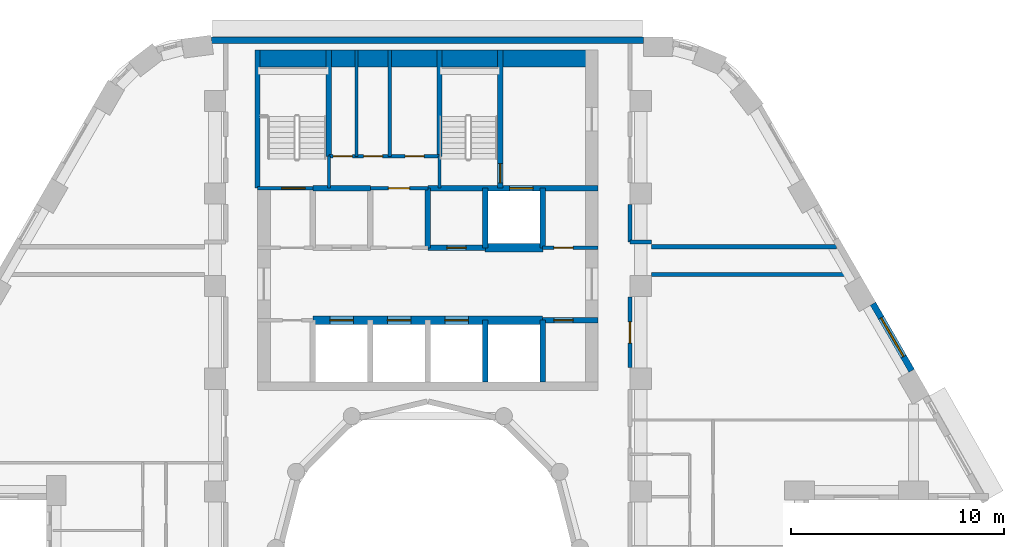
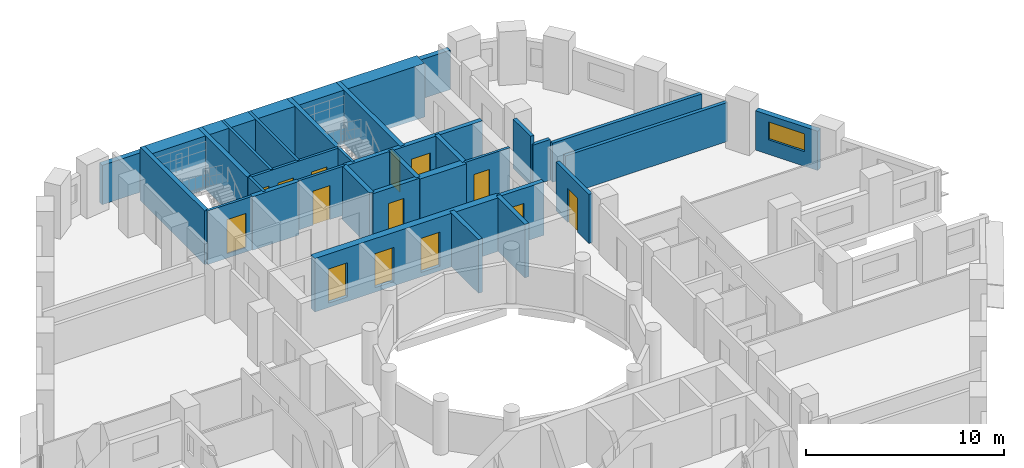
# One storey, part 8 of 12: 31 walls, 14 doors, 1 window, 15 openings.
"""IFC4 building model written with IfcOpenShell, lengths in metres."""

from ifc_helpers import new_model, si_unit, direction, frame, frame_2d, origin, place, context, subcontext, project, spatial, rectangle, extrude, material, layer, layer_set, type_object, element, fill, save


model = new_model("IFC4")

# Units and contexts
model_context = context("Model", 3, precision=1e-05, world=origin(), true_north=direction((0.0, 1.0)))
body_context = subcontext(model_context, "Body", "Model", "MODEL_VIEW")
ifc_project = project(units=[si_unit("LENGTHUNIT", "METRE"), si_unit("AREAUNIT", "SQUARE_METRE"), si_unit("VOLUMEUNIT", "CUBIC_METRE"), si_unit("PLANEANGLEUNIT", "RADIAN"), si_unit("MASSUNIT", "GRAM", prefix="KILO")], contexts=[model_context])

# Site, building, storey
site_placement = place(None, origin())
site = spatial("IfcSite", under=ifc_project, at=site_placement, CompositionType="ELEMENT")
building_placement = place(site_placement, origin())
building = spatial("IfcBuilding", under=site, at=building_placement, Name="Nakaniwa Court", CompositionType="ELEMENT")
storey_placement = place(building_placement, frame((0.0, 0.0, 90.89990234375)))
storey = spatial("IfcBuildingStorey", under=building, at=storey_placement, Name="L23", CompositionType="ELEMENT", Elevation=90.89990234375)

# Wall, opening, door
ifc_material_1 = material(Name="Acoustic double stud partition")
ifc_layer_1 = layer(ifc_material_1, 0.199951171875)
ifc_layer_set_1 = layer_set([ifc_layer_1], Name="Acoustic double stud partition")
wall_type_1 = type_object("IfcWallType", Name="Acoustic double stud partition 200", PredefinedType="PARTITIONING", material=ifc_layer_set_1)
wall_1_placement = place(storey_placement, frame((89.5, 91.782958984375, 0.0), z_axis=(0.0, 0.0, 1.0), x_axis=(0.0, -1.0, 0.0)))
wall_1 = element("IfcWall", 1, at=wall_1_placement, inside=storey, type_object=wall_type_1, Name="Partition PW-077", PredefinedType="PARTITIONING", context=body_context, shape_type="SweptSolid", body=[
    extrude(rectangle(XDim=3.31591796875, YDim=0.199951171875, at=frame_2d((1.657958984375, 0.0))), origin(), (0.0, 0.0, 1.0), 3.025146484375),
])
opening_1_placement = place(wall_1_placement, frame((1.157958984375, 0.0, 0.0)))
opening_1 = element("IfcOpeningElement", 2, at=opening_1_placement, cuts=wall_1, Name="Opening D-02-03", PredefinedType="OPENING", context=body_context, shape_type="SweptSolid", body=[
    extrude(rectangle(XDim=1.0, YDim=2.10009765625, at=frame_2d((0.5, 1.050048828125))), frame((0.0, 0.10986328125, 0.0), z_axis=(0.0, -1.0, 0.0), x_axis=(1.0, 0.0, 0.0)), (0.0, 0.0, 1.0), 0.219970703125),
])
ifc_material_2 = material(Name="Solid core timber door set, black veneer", Category="wood")
door_type_1 = type_object("IfcDoorType", Name="Internal door 1000", OperationType="NOTDEFINED", PredefinedType="DOOR", material=ifc_material_2)
door_1_placement = place(opening_1_placement, origin())
door_1 = element("IfcDoor", 3, at=door_1_placement, inside=storey, type_object=door_type_1, Name="Door D-02-03 L23-037", OperationType="SINGLE_SWING_RIGHT", OverallHeight=2.10009765625, OverallWidth=1.0, PredefinedType="DOOR", context=body_context, shape_type="SweptSolid", body=[
    extrude(rectangle(XDim=1.0, YDim=2.10009765625, at=frame_2d((0.5, 1.050048828125))), frame((0.0, 0.02490234375, 0.0), z_axis=(0.0, -1.0, 0.0), x_axis=(1.0, 0.0, 0.0)), (0.0, 0.0, 1.0), 0.050048828125),
])
fill(opening_1, door_1)

# Walls
wall_2_placement = place(storey_placement, frame((89.5, 94.3720703125, 0.0), z_axis=(0.0, 0.0, 1.0), x_axis=(0.0, 1.0, 0.0)))
element("IfcWall", 4, at=wall_2_placement, inside=storey, type_object=wall_type_1, Name="Partition PW-078", PredefinedType="PARTITIONING", context=body_context, shape_type="SweptSolid", body=[
    extrude(rectangle(XDim=1.760986328125, YDim=0.199951171875, at=frame_2d((0.88037109375, 0.0))), origin(), (0.0, 0.0, 1.0), 3.025146484375),
])
wall_3_placement = place(storey_placement, frame((90.5, 92.85009765625, 0.0), z_axis=(0.0, 0.0, 1.0), x_axis=(1.0, 0.0, 0.0)))
element("IfcWall", 5, at=wall_3_placement, inside=storey, type_object=wall_type_1, Name="Partition PW-082", PredefinedType="PARTITIONING", context=body_context, shape_type="SweptSolid", body=[
    extrude(rectangle(XDim=9.447509765625, YDim=0.199951171875, at=frame_2d((4.7236328125, 0.0))), origin(), (0.0, 0.0, 1.0), 2.405029296875),
])
wall_4_placement = place(storey_placement, frame((89.5, 94.375, 0.0), z_axis=(0.0, 0.0, 1.0), x_axis=(1.0, 0.0, 0.0)))
element("IfcWall", 6, at=wall_4_placement, inside=storey, type_object=wall_type_1, Name="Partition PW-084", PredefinedType="PARTITIONING", context=body_context, shape_type="SweptSolid", body=[
    extrude(rectangle(XDim=1.0, YDim=0.199951171875, at=frame_2d((0.5, 0.0))), origin(), (0.0, 0.0, 1.0), 2.505126953125),
])
wall_5_placement = place(storey_placement, frame((90.5, 94.14990234375, 0.0), z_axis=(0.0, 0.0, 1.0), x_axis=(1.0, 0.0, 0.0)))
element("IfcWall", 7, at=wall_5_placement, inside=storey, type_object=wall_type_1, Name="Partition PW-086", PredefinedType="PARTITIONING", context=body_context, shape_type="SweptSolid", body=[
    extrude(rectangle(XDim=8.697021484375, YDim=0.199951171875, at=frame_2d((4.3486328125, 0.0))), origin(), (0.0, 0.0, 1.0), 2.405029296875),
])

# Wall, opening, window
ifc_material_3 = material(Name="Charcoal ceramic cladding")
ifc_layer_2 = layer(ifc_material_3, 0.02, Name="Ceramic cladding")
ifc_material_4 = material(Name="Ventilated air cavity")
ifc_layer_3 = layer(ifc_material_4, 0.04, ventilated=True, Name="Ventilated cavity")
ifc_material_5 = material(Name="Mineral wool insulation")
ifc_layer_4 = layer(ifc_material_5, 0.1, Name="Insulation")
ifc_material_6 = material(Name="Cement bonded sheathing board")
ifc_layer_5 = layer(ifc_material_6, 0.012, Name="Sheathing")
ifc_material_7 = material(Name="Cold-formed galvanised stud frame with mineral wool infill")
ifc_layer_6 = layer(ifc_material_7, 0.1, Name="Stud frame")
ifc_material_8 = material(Name="Fire-rated gypsum plasterboard lining")
ifc_layer_7 = layer(ifc_material_8, 0.028, Name="Lining")
ifc_layer_set_2 = layer_set([ifc_layer_2, ifc_layer_3, ifc_layer_4, ifc_layer_5, ifc_layer_6, ifc_layer_7], Name="Charcoal ceramic faced external wall system")
wall_type_2 = type_object("IfcWallType", Name="Black ceramic faced external wall 300", PredefinedType="SOLIDWALL", material=ifc_layer_set_2)
wall_6_placement = place(storey_placement, frame((102.734619140625, 88.322509765625, 0.0), z_axis=(0.0, 0.0, 1.0), x_axis=(-0.500009139881, 0.866020126807, 0.0)))
wall_6 = element("IfcWall", 8, at=wall_6_placement, inside=storey, type_object=wall_type_2, Name="L23 external wall 03", PredefinedType="SOLIDWALL", context=body_context, shape_type="SweptSolid", body=[
    extrude(rectangle(XDim=3.63671875, YDim=0.300048828125, at=frame_2d((1.818359375, 0.0))), origin(), (0.0, 0.0, 1.0), 2.425048828125),
])
opening_2_placement = place(wall_6_placement, frame((0.768310546875, 0.0, 0.89990234375)))
opening_2 = element("IfcOpeningElement", 9, at=opening_2_placement, cuts=wall_6, Name="Opening W7.05", PredefinedType="OPENING", context=body_context, shape_type="SweptSolid", body=[
    extrude(rectangle(XDim=2.10009765625, YDim=1.10009765625, at=frame_2d((1.050048828125, 0.550048828125))), frame((0.0, 0.159912109375, 0.0), z_axis=(0.0, -1.0, 0.0), x_axis=(1.0, 0.0, 0.0)), (0.0, 0.0, 1.0), 0.320068359375),
])
ifc_material_9 = material(Name="Black anodised aluminium frame with dark low-E laminated double glazing", Category="aluminium")
window_type = type_object("IfcWindowType", Name="Dark glass window 2100x1100 sill 900", PartitioningType="SINGLE_PANEL", PredefinedType="WINDOW", material=ifc_material_9)
window_placement = place(opening_2_placement, origin())
window = element("IfcWindow", 10, at=window_placement, inside=storey, type_object=window_type, Name="L23 habitable room window 03-0", OverallHeight=1.10009765625, OverallWidth=2.10009765625, PartitioningType="SINGLE_PANEL", PredefinedType="WINDOW", context=body_context, shape_type="SweptSolid", body=[
    extrude(rectangle(XDim=2.10009765625, YDim=1.10009765625, at=frame_2d((1.050048828125, 0.550048828125))), frame((0.0, 0.030029296875, 0.0), z_axis=(0.0, -1.0, 0.0), x_axis=(1.0, 0.0, 0.0)), (0.0, 0.0, 1.0), 0.06005859375),
])
fill(opening_2, window)

# Wall
wall_7_placement = place(storey_placement, frame((90.128662109375, 103.85009765625, 0.0), z_axis=(0.0, 0.0, 1.0), x_axis=(-1.0, 0.0, 0.0)))
element("IfcWall", 11, at=wall_7_placement, inside=storey, type_object=wall_type_2, Name="L23 external wall 08", PredefinedType="SOLIDWALL", context=body_context, shape_type="SweptSolid", body=[
    extrude(rectangle(XDim=20.290771484375, YDim=0.300048828125, at=frame_2d((10.1455078125, 0.0))), origin(), (0.0, 0.0, 1.0), 2.425048828125),
])

# Wall, opening, door
ifc_material_10 = material(Name="Blockwork partition", Category="masonry")
ifc_layer_8 = layer(ifc_material_10, 0.14990234375)
ifc_layer_set_3 = layer_set([ifc_layer_8], Name="Blockwork partition")
wall_type_3 = type_object("IfcWallType", Name="Blockwork partition 150", PredefinedType="PARTITIONING", material=ifc_layer_set_3)
wall_8_placement = place(storey_placement, frame((85.39697265625, 94.10009765625, 0.0), z_axis=(0.0, 0.0, 1.0), x_axis=(1.0, 0.0, 0.0)))
wall_8 = element("IfcWall", 12, at=wall_8_placement, inside=storey, type_object=wall_type_3, Name="Partition PW-018", PredefinedType="PARTITIONING", context=body_context, shape_type="SweptSolid", body=[
    extrude(rectangle(XDim=2.60302734375, YDim=0.14990234375, at=frame_2d((1.301513671875, 0.0))), origin(), (0.0, 0.0, 1.0), 3.025146484375),
])
opening_3_placement = place(wall_8_placement, frame((0.528076171875, 0.0, 0.0)))
opening_3 = element("IfcOpeningElement", 13, at=opening_3_placement, cuts=wall_8, Name="Opening D-05-05", PredefinedType="OPENING", context=body_context, shape_type="SweptSolid", body=[
    extrude(rectangle(XDim=0.89990234375, YDim=2.10009765625, at=frame_2d((0.449951171875, 1.050048828125))), frame((0.0, 0.0849609375, 0.0), z_axis=(0.0, -1.0, 0.0), x_axis=(1.0, 0.0, 0.0)), (0.0, 0.0, 1.0), 0.169921875),
])
ifc_material_11 = material(Name="Fire rated steel door set", Category="steel")
door_type_2 = type_object("IfcDoorType", Name="Service room door 900", OperationType="NOTDEFINED", PredefinedType="DOOR", material=ifc_material_11)
door_2_placement = place(opening_3_placement, origin())
door_2 = element("IfcDoor", 14, at=door_2_placement, inside=storey, type_object=door_type_2, Name="Door D-05-05 L23-007", OperationType="SINGLE_SWING_RIGHT", OverallHeight=2.10009765625, OverallWidth=0.89990234375, PredefinedType="DOOR", context=body_context, shape_type="SweptSolid", body=[
    extrude(rectangle(XDim=0.89990234375, YDim=2.10009765625, at=frame_2d((0.449951171875, 1.050048828125))), frame((0.0, 0.02490234375, 0.0), z_axis=(0.0, -1.0, 0.0), x_axis=(1.0, 0.0, 0.0)), (0.0, 0.0, 1.0), 0.050048828125),
])
fill(opening_3, door_2)

wall_9_placement = place(storey_placement, frame((77.300048828125, 96.89990234375, 0.0), z_axis=(0.0, 0.0, 1.0), x_axis=(1.0, 0.0, 0.0)))
wall_9 = element("IfcWall", 15, at=wall_9_placement, inside=storey, type_object=wall_type_3, Name="Partition PW-025", PredefinedType="PARTITIONING", context=body_context, shape_type="SweptSolid", body=[
    extrude(rectangle(XDim=2.699951171875, YDim=0.14990234375, at=frame_2d((1.35009765625, 0.0))), origin(), (0.0, 0.0, 1.0), 3.025146484375),
])
opening_4_placement = place(wall_9_placement, frame((0.85009765625, 0.0, 0.0)))
opening_4 = element("IfcOpeningElement", 16, at=opening_4_placement, cuts=wall_9, Name="Opening D-23-01", PredefinedType="OPENING", context=body_context, shape_type="SweptSolid", body=[
    extrude(rectangle(XDim=1.0, YDim=2.10009765625, at=frame_2d((0.5, 1.050048828125))), frame((0.0, 0.0849609375, 0.0), z_axis=(0.0, -1.0, 0.0), x_axis=(1.0, 0.0, 0.0)), (0.0, 0.0, 1.0), 0.169921875),
])
door_type_3 = type_object("IfcDoorType", Name="Service room door 1000", OperationType="NOTDEFINED", PredefinedType="DOOR", material=ifc_material_11)
door_3_placement = place(opening_4_placement, origin())
door_3 = element("IfcDoor", 17, at=door_3_placement, inside=storey, type_object=door_type_3, Name="Door D-23-01 L23-008", OperationType="SINGLE_SWING_LEFT", OverallHeight=2.10009765625, OverallWidth=1.0, PredefinedType="DOOR", context=body_context, shape_type="SweptSolid", body=[
    extrude(rectangle(XDim=1.0, YDim=2.10009765625, at=frame_2d((0.5, 1.050048828125))), frame((0.0, 0.02490234375, 0.0), z_axis=(0.0, -1.0, 0.0), x_axis=(1.0, 0.0, 0.0)), (0.0, 0.0, 1.0), 0.050048828125),
])
fill(opening_4, door_3)

# Wall, openings, doors
wall_10_placement = place(storey_placement, frame((75.35009765625, 98.39990234375, 0.0), z_axis=(0.0, 0.0, 1.0), x_axis=(1.0, 0.0, 0.0)))
wall_10 = element("IfcWall", 18, at=wall_10_placement, inside=storey, type_object=wall_type_3, Name="Partition PW-032", PredefinedType="PARTITIONING", context=body_context, shape_type="SweptSolid", body=[
    extrude(rectangle(XDim=5.199951171875, YDim=0.14990234375, at=frame_2d((2.60009765625, 0.0))), origin(), (0.0, 0.0, 1.0), 3.025146484375),
])
opening_5_placement = place(wall_10_placement, frame((0.199951171875, 0.0, 0.0)))
opening_5 = element("IfcOpeningElement", 19, at=opening_5_placement, cuts=wall_10, Name="Opening D-05-06", PredefinedType="OPENING", context=body_context, shape_type="SweptSolid", body=[
    extrude(rectangle(XDim=0.89990234375, YDim=2.10009765625, at=frame_2d((0.449951171875, 1.050048828125))), frame((0.0, 0.0849609375, 0.0), z_axis=(0.0, -1.0, 0.0), x_axis=(1.0, 0.0, 0.0)), (0.0, 0.0, 1.0), 0.169921875),
])
opening_6_placement = place(wall_10_placement, frame((1.6298828125, 0.0, 0.0)))
opening_6 = element("IfcOpeningElement", 20, at=opening_6_placement, cuts=wall_10, Name="Opening D-05-07", PredefinedType="OPENING", context=body_context, shape_type="SweptSolid", body=[
    extrude(rectangle(XDim=0.89990234375, YDim=2.10009765625, at=frame_2d((0.449951171875, 1.050048828125))), frame((0.0, 0.0849609375, 0.0), z_axis=(0.0, -1.0, 0.0), x_axis=(1.0, 0.0, 0.0)), (0.0, 0.0, 1.0), 0.169921875),
])
opening_7_placement = place(wall_10_placement, frame((3.580078125, 0.0, 0.0)))
opening_7 = element("IfcOpeningElement", 21, at=opening_7_placement, cuts=wall_10, Name="Opening D-05-08", PredefinedType="OPENING", context=body_context, shape_type="SweptSolid", body=[
    extrude(rectangle(XDim=0.89990234375, YDim=2.10009765625, at=frame_2d((0.449951171875, 1.050048828125))), frame((0.0, 0.0849609375, 0.0), z_axis=(0.0, -1.0, 0.0), x_axis=(1.0, 0.0, 0.0)), (0.0, 0.0, 1.0), 0.169921875),
])
door_4_placement = place(opening_5_placement, origin())
door_4 = element("IfcDoor", 22, at=door_4_placement, inside=storey, type_object=door_type_2, Name="Door D-05-06 L23-009", OperationType="SINGLE_SWING_RIGHT", OverallHeight=2.10009765625, OverallWidth=0.89990234375, PredefinedType="DOOR", context=body_context, shape_type="SweptSolid", body=[
    extrude(rectangle(XDim=0.89990234375, YDim=2.10009765625, at=frame_2d((0.449951171875, 1.050048828125))), frame((0.0, 0.02490234375, 0.0), z_axis=(0.0, -1.0, 0.0), x_axis=(1.0, 0.0, 0.0)), (0.0, 0.0, 1.0), 0.050048828125),
])
fill(opening_5, door_4)
door_5_placement = place(opening_6_placement, origin())
door_5 = element("IfcDoor", 23, at=door_5_placement, inside=storey, type_object=door_type_2, Name="Door D-05-07 L23-010", OperationType="SINGLE_SWING_LEFT", OverallHeight=2.10009765625, OverallWidth=0.89990234375, PredefinedType="DOOR", context=body_context, shape_type="SweptSolid", body=[
    extrude(rectangle(XDim=0.89990234375, YDim=2.10009765625, at=frame_2d((0.449951171875, 1.050048828125))), frame((0.0, 0.02490234375, 0.0), z_axis=(0.0, -1.0, 0.0), x_axis=(1.0, 0.0, 0.0)), (0.0, 0.0, 1.0), 0.050048828125),
])
fill(opening_6, door_5)
door_6_placement = place(opening_7_placement, origin())
door_6 = element("IfcDoor", 24, at=door_6_placement, inside=storey, type_object=door_type_2, Name="Door D-05-08 L23-011", OperationType="SINGLE_SWING_RIGHT", OverallHeight=2.10009765625, OverallWidth=0.89990234375, PredefinedType="DOOR", context=body_context, shape_type="SweptSolid", body=[
    extrude(rectangle(XDim=0.89990234375, YDim=2.10009765625, at=frame_2d((0.449951171875, 1.050048828125))), frame((0.0, 0.02490234375, 0.0), z_axis=(0.0, -1.0, 0.0), x_axis=(1.0, 0.0, 0.0)), (0.0, 0.0, 1.0), 0.050048828125),
])
fill(opening_7, door_6)

# Walls
for number, where, z_axis, x_axis, name in (
    (25, (76.64990234375, 98.39990234375, 0.0), (0.0, 0.0, 1.0), (0.0, 1.0, 0.0), "Partition PW-033"),
    (26, (78.2099609375, 98.39990234375, 0.0), (0.0, 0.0, 1.0), (0.0, 1.0, 0.0), "Partition PW-034"),
):
    element("IfcWall", number, at=place(storey_placement, frame(where, z_axis=z_axis, x_axis=x_axis)), inside=storey, type_object=wall_type_3, Name=name, PredefinedType="PARTITIONING", context=body_context, shape_type="SweptSolid", body=[
        extrude(rectangle(XDim=5.0, YDim=0.14990234375, at=frame_2d((2.5, 0.0))), origin(), (0.0, 0.0, 1.0), 3.025146484375),
    ])

# Wall, openings, doors
ifc_material_12 = material(Name="Concrete C80/100", Category="concrete")
ifc_layer_9 = layer(ifc_material_12, 0.39990234375)
ifc_layer_set_4 = layer_set([ifc_layer_9], Name="Concrete C80/100")
wall_type_4 = type_object("IfcWallType", Name="Concrete core spine wall 400 C80", PredefinedType="SHEAR", material=ifc_layer_set_4)
wall_11_placement = place(storey_placement, frame((74.60009765625, 90.699951171875, -0.27490234375), z_axis=(0.0, 0.0, 1.0), x_axis=(1.0, 0.0, 0.0)))
wall_11 = element("IfcWall", 27, at=wall_11_placement, inside=storey, type_object=wall_type_4, Name="Core wall SW-07", PredefinedType="SHEAR", context=body_context, shape_type="SweptSolid", body=[
    extrude(rectangle(XDim=10.7998046875, YDim=0.39990234375, at=frame_2d((5.39990234375, 0.0))), origin(), (0.0, 0.0, 1.0), 3.300048828125),
])
opening_8_placement = place(wall_11_placement, frame((0.800048828125, 0.0, 0.27490234375)))
opening_8 = element("IfcOpeningElement", 28, at=opening_8_placement, cuts=wall_11, Name="Opening LD01", PredefinedType="OPENING", context=body_context, shape_type="SweptSolid", body=[
    extrude(rectangle(XDim=1.10009765625, YDim=2.10009765625, at=frame_2d((0.550048828125, 1.050048828125))), frame((0.0, 0.2099609375, 0.0), z_axis=(0.0, -1.0, 0.0), x_axis=(1.0, 0.0, 0.0)), (0.0, 0.0, 1.0), 0.419921875),
])
opening_9_placement = place(wall_11_placement, frame((3.5, 0.0, 0.27490234375)))
opening_9 = element("IfcOpeningElement", 29, at=opening_9_placement, cuts=wall_11, Name="Opening LD02", PredefinedType="OPENING", context=body_context, shape_type="SweptSolid", body=[
    extrude(rectangle(XDim=1.10009765625, YDim=2.10009765625, at=frame_2d((0.550048828125, 1.050048828125))), frame((0.0, 0.2099609375, 0.0), z_axis=(0.0, -1.0, 0.0), x_axis=(1.0, 0.0, 0.0)), (0.0, 0.0, 1.0), 0.419921875),
])
opening_10_placement = place(wall_11_placement, frame((6.199951171875, 0.0, 0.27490234375)))
opening_10 = element("IfcOpeningElement", 30, at=opening_10_placement, cuts=wall_11, Name="Opening LD03", PredefinedType="OPENING", context=body_context, shape_type="SweptSolid", body=[
    extrude(rectangle(XDim=1.10009765625, YDim=2.10009765625, at=frame_2d((0.550048828125, 1.050048828125))), frame((0.0, 0.2099609375, 0.0), z_axis=(0.0, -1.0, 0.0), x_axis=(1.0, 0.0, 0.0)), (0.0, 0.0, 1.0), 0.419921875),
])
ifc_material_13 = material(Name="Stainless steel sliding lift landing door", Category="steel")
door_type_4 = type_object("IfcDoorType", Name="Lift landing door 1100", OperationType="NOTDEFINED", PredefinedType="DOOR", material=ifc_material_13)
door_7_placement = place(opening_8_placement, origin())
door_7 = element("IfcDoor", 31, at=door_7_placement, inside=storey, type_object=door_type_4, Name="Lift landing door LD01 L23-001", OperationType="SLIDING_TO_LEFT", OverallHeight=2.10009765625, OverallWidth=1.10009765625, PredefinedType="DOOR", context=body_context, shape_type="SweptSolid", body=[
    extrude(rectangle(XDim=1.10009765625, YDim=2.10009765625, at=frame_2d((0.550048828125, 1.050048828125))), frame((0.0, 0.02490234375, 0.0), z_axis=(0.0, -1.0, 0.0), x_axis=(1.0, 0.0, 0.0)), (0.0, 0.0, 1.0), 0.050048828125),
])
fill(opening_8, door_7)
door_8_placement = place(opening_9_placement, origin())
door_8 = element("IfcDoor", 32, at=door_8_placement, inside=storey, type_object=door_type_4, Name="Lift landing door LD02 L23-002", OperationType="SLIDING_TO_LEFT", OverallHeight=2.10009765625, OverallWidth=1.10009765625, PredefinedType="DOOR", context=body_context, shape_type="SweptSolid", body=[
    extrude(rectangle(XDim=1.10009765625, YDim=2.10009765625, at=frame_2d((0.550048828125, 1.050048828125))), frame((0.0, 0.02490234375, 0.0), z_axis=(0.0, -1.0, 0.0), x_axis=(1.0, 0.0, 0.0)), (0.0, 0.0, 1.0), 0.050048828125),
])
fill(opening_9, door_8)
door_9_placement = place(opening_10_placement, origin())
door_9 = element("IfcDoor", 33, at=door_9_placement, inside=storey, type_object=door_type_4, Name="Lift landing door LD03 L23-003", OperationType="SLIDING_TO_LEFT", OverallHeight=2.10009765625, OverallWidth=1.10009765625, PredefinedType="DOOR", context=body_context, shape_type="SweptSolid", body=[
    extrude(rectangle(XDim=1.10009765625, YDim=2.10009765625, at=frame_2d((0.550048828125, 1.050048828125))), frame((0.0, 0.02490234375, 0.0), z_axis=(0.0, -1.0, 0.0), x_axis=(1.0, 0.0, 0.0)), (0.0, 0.0, 1.0), 0.050048828125),
])
fill(opening_10, door_9)

# Wall
wall_12_placement = place(storey_placement, frame((82.697021484375, 94.10009765625, -0.27490234375), z_axis=(0.0, 0.0, 1.0), x_axis=(1.0, 0.0, 0.0)))
element("IfcWall", 34, at=wall_12_placement, inside=storey, type_object=wall_type_4, Name="Core wall SW-21", PredefinedType="SHEAR", context=body_context, shape_type="SweptSolid", body=[
    extrude(rectangle(XDim=2.7060546875, YDim=0.39990234375, at=frame_2d((1.35302734375, 0.0))), origin(), (0.0, 0.0, 1.0), 3.300048828125),
])

# Wall, opening, door
ifc_layer_10 = layer(ifc_material_12, 0.14990234375)
ifc_layer_set_5 = layer_set([ifc_layer_10], Name="Concrete C80/100")
wall_type_5 = type_object("IfcWallType", Name="Concrete core wall 150 C80", PredefinedType="SHEAR", material=ifc_layer_set_5)
wall_13_placement = place(storey_placement, frame((74.60009765625, 96.89990234375, -0.27490234375), z_axis=(0.0, 0.0, 1.0), x_axis=(-1.0, 0.0, 0.0)))
wall_13 = element("IfcWall", 35, at=wall_13_placement, inside=storey, type_object=wall_type_5, Name="Core wall SW-22", PredefinedType="SHEAR", context=body_context, shape_type="SweptSolid", body=[
    extrude(rectangle(XDim=2.60009765625, YDim=0.14990234375, at=frame_2d((1.300048828125, 0.0))), origin(), (0.0, 0.0, 1.0), 3.300048828125),
])
opening_11_placement = place(wall_13_placement, frame((0.3701171875, 0.0, 0.27490234375)))
opening_11 = element("IfcOpeningElement", 36, at=opening_11_placement, cuts=wall_13, Name="Opening D-09-01", PredefinedType="OPENING", context=body_context, shape_type="SweptSolid", body=[
    extrude(rectangle(XDim=1.10009765625, YDim=2.10009765625, at=frame_2d((0.550048828125, 1.050048828125))), frame((0.0, 0.0849609375, 0.0), z_axis=(0.0, -1.0, 0.0), x_axis=(1.0, 0.0, 0.0)), (0.0, 0.0, 1.0), 0.169921875),
])
door_type_5 = type_object("IfcDoorType", Name="Stair door 1100", OperationType="NOTDEFINED", PredefinedType="DOOR", material=ifc_material_11)
door_10_placement = place(opening_11_placement, origin())
door_10 = element("IfcDoor", 37, at=door_10_placement, inside=storey, type_object=door_type_5, Name="Door D-09-01 L23-012", OperationType="SINGLE_SWING_RIGHT", OverallHeight=2.10009765625, OverallWidth=1.10009765625, PredefinedType="DOOR", context=body_context, shape_type="SweptSolid", body=[
    extrude(rectangle(XDim=1.10009765625, YDim=2.10009765625, at=frame_2d((0.550048828125, 1.050048828125))), frame((0.0, 0.02490234375, 0.0), z_axis=(0.0, -1.0, 0.0), x_axis=(1.0, 0.0, 0.0)), (0.0, 0.0, 1.0), 0.050048828125),
])
fill(opening_11, door_10)

# Walls
for number, where, z_axis, x_axis, name in (
    (38, (75.35009765625, 96.89990234375, -0.27490234375), (0.0, 0.0, 1.0), (0.0, 1.0, 0.0), "Core wall SW-26"),
    (39, (80.550048828125, 96.89990234375, -0.27490234375), (0.0, 0.0, 1.0), (0.0, 1.0, 0.0), "Core wall SW-30"),
):
    element("IfcWall", number, at=place(storey_placement, frame(where, z_axis=z_axis, x_axis=x_axis)), inside=storey, type_object=wall_type_5, Name=name, PredefinedType="SHEAR", context=body_context, shape_type="SweptSolid", body=[
        extrude(rectangle(XDim=1.503173828125, YDim=0.14990234375, at=frame_2d((0.75146484375, 0.0))), origin(), (0.0, 0.0, 1.0), 3.300048828125),
    ])
ifc_layer_11 = layer(ifc_material_12, 0.25)
ifc_layer_set_6 = layer_set([ifc_layer_11], Name="Concrete C80/100")
wall_type_6 = type_object("IfcWallType", Name="Concrete core wall 250 C80", PredefinedType="SHEAR", material=ifc_layer_set_6)
wall_14_placement = place(storey_placement, frame((72.0, 96.89990234375, -0.27490234375), z_axis=(0.0, 0.0, 1.0), x_axis=(0.0, 1.0, 0.0)))
element("IfcWall", 40, at=wall_14_placement, inside=storey, type_object=wall_type_6, Name="Core wall SW-28", PredefinedType="SHEAR", context=body_context, shape_type="SweptSolid", body=[
    extrude(rectangle(XDim=6.5, YDim=0.25, at=frame_2d((3.25, 0.0))), origin(), (0.0, 0.0, 1.0), 3.300048828125),
])
ifc_layer_12 = layer(ifc_material_12, 0.800048828125)
ifc_layer_set_7 = layer_set([ifc_layer_12], Name="Concrete C80/100")
wall_type_7 = type_object("IfcWallType", Name="Concrete core wall 800 C80", PredefinedType="SHEAR", material=ifc_layer_set_7)
wall_15_placement = place(storey_placement, frame((72.00390625, 103.0, -0.27490234375), z_axis=(0.0, 0.0, 1.0), x_axis=(1.0, 0.0, 0.0)))
element("IfcWall", 41, at=wall_15_placement, inside=storey, type_object=wall_type_7, Name="Core wall SW-127", PredefinedType="SHEAR", context=body_context, shape_type="SweptSolid", body=[
    extrude(rectangle(XDim=15.9921875, YDim=0.800048828125, at=frame_2d((7.99609375, 0.0))), origin(), (0.0, 0.0, 1.0), 3.300048828125),
])
ifc_layer_13 = layer(ifc_material_12, 0.25)
ifc_layer_set_8 = layer_set([ifc_layer_13], Name="Concrete C80/100")
wall_type_8 = type_object("IfcWallType", Name="Concrete shaft wall 250 C80", PredefinedType="SHEAR", material=ifc_layer_set_8)
wall_16_placement = place(storey_placement, frame((80.0, 94.10009765625, -0.27490234375), z_axis=(0.0, 0.0, 1.0), x_axis=(0.0, 1.0, 0.0)))
element("IfcWall", 42, at=wall_16_placement, inside=storey, type_object=wall_type_8, Name="Core wall SW-09", PredefinedType="SHEAR", context=body_context, shape_type="SweptSolid", body=[
    extrude(rectangle(XDim=2.7998046875, YDim=0.25, at=frame_2d((1.39990234375, 0.0))), origin(), (0.0, 0.0, 1.0), 3.300048828125),
])
wall_17_placement = place(storey_placement, frame((82.699951171875, 87.800048828125, -0.27490234375), z_axis=(0.0, 0.0, 1.0), x_axis=(0.0, 1.0, 0.0)))
element("IfcWall", 43, at=wall_17_placement, inside=storey, type_object=wall_type_8, Name="Core wall SW-10", PredefinedType="SHEAR", context=body_context, shape_type="SweptSolid", body=[
    extrude(rectangle(XDim=2.89990234375, YDim=0.25, at=frame_2d((1.449951171875, 0.0))), origin(), (0.0, 0.0, 1.0), 3.300048828125),
])
wall_18_placement = place(storey_placement, frame((82.699951171875, 94.10009765625, -0.27490234375), z_axis=(0.0, 0.0, 1.0), x_axis=(0.0, 1.0, 0.0)))
element("IfcWall", 44, at=wall_18_placement, inside=storey, type_object=wall_type_8, Name="Core wall SW-11", PredefinedType="SHEAR", context=body_context, shape_type="SweptSolid", body=[
    extrude(rectangle(XDim=2.7998046875, YDim=0.25, at=frame_2d((1.39990234375, 0.0))), origin(), (0.0, 0.0, 1.0), 3.300048828125),
])
wall_19_placement = place(storey_placement, frame((85.39990234375, 87.800048828125, -0.27490234375), z_axis=(0.0, 0.0, 1.0), x_axis=(0.0, 1.0, 0.0)))
element("IfcWall", 45, at=wall_19_placement, inside=storey, type_object=wall_type_8, Name="Core wall SW-12", PredefinedType="SHEAR", context=body_context, shape_type="SweptSolid", body=[
    extrude(rectangle(XDim=2.89990234375, YDim=0.25, at=frame_2d((1.449951171875, 0.0))), origin(), (0.0, 0.0, 1.0), 3.300048828125),
])
wall_20_placement = place(storey_placement, frame((85.39990234375, 94.10009765625, -0.27490234375), z_axis=(0.0, 0.0, 1.0), x_axis=(0.0, 1.0, 0.0)))
element("IfcWall", 46, at=wall_20_placement, inside=storey, type_object=wall_type_8, Name="Core wall SW-13", PredefinedType="SHEAR", context=body_context, shape_type="SweptSolid", body=[
    extrude(rectangle(XDim=2.7998046875, YDim=0.25, at=frame_2d((1.39990234375, 0.0))), origin(), (0.0, 0.0, 1.0), 3.300048828125),
])

# Wall, opening, door
wall_21_placement = place(storey_placement, frame((88.0, 90.699951171875, -0.27490234375), z_axis=(0.0, 0.0, 1.0), x_axis=(-1.0, 0.0, 0.0)))
wall_21 = element("IfcWall", 47, at=wall_21_placement, inside=storey, type_object=wall_type_8, Name="Core wall SW-14", PredefinedType="SHEAR", context=body_context, shape_type="SweptSolid", body=[
    extrude(rectangle(XDim=2.60009765625, YDim=0.25, at=frame_2d((1.300048828125, 0.0))), origin(), (0.0, 0.0, 1.0), 3.300048828125),
])
opening_12_placement = place(wall_21_placement, frame((1.175048828125, 0.0, 0.27490234375)))
opening_12 = element("IfcOpeningElement", 48, at=opening_12_placement, cuts=wall_21, Name="Opening D-05-02", PredefinedType="OPENING", context=body_context, shape_type="SweptSolid", body=[
    extrude(rectangle(XDim=0.89990234375, YDim=2.10009765625, at=frame_2d((0.449951171875, 1.050048828125))), frame((0.0, 0.135009765625, 0.0), z_axis=(0.0, -1.0, 0.0), x_axis=(1.0, 0.0, 0.0)), (0.0, 0.0, 1.0), 0.27001953125),
])
door_11_placement = place(opening_12_placement, origin())
door_11 = element("IfcDoor", 49, at=door_11_placement, inside=storey, type_object=door_type_2, Name="Door D-05-02 L23-002", OperationType="SINGLE_SWING_LEFT", OverallHeight=2.10009765625, OverallWidth=0.89990234375, PredefinedType="DOOR", context=body_context, shape_type="SweptSolid", body=[
    extrude(rectangle(XDim=0.89990234375, YDim=2.10009765625, at=frame_2d((0.449951171875, 1.050048828125))), frame((0.0, 0.02490234375, 0.0), z_axis=(0.0, -1.0, 0.0), x_axis=(1.0, 0.0, 0.0)), (0.0, 0.0, 1.0), 0.050048828125),
])
fill(opening_12, door_11)

wall_22_placement = place(storey_placement, frame((79.9970703125, 94.10009765625, -0.27490234375), z_axis=(0.0, 0.0, 1.0), x_axis=(1.0, 0.0, 0.0)))
wall_22 = element("IfcWall", 50, at=wall_22_placement, inside=storey, type_object=wall_type_8, Name="Core wall SW-20", PredefinedType="SHEAR", context=body_context, shape_type="SweptSolid", body=[
    extrude(rectangle(XDim=2.705810546875, YDim=0.25, at=frame_2d((1.35302734375, 0.0))), origin(), (0.0, 0.0, 1.0), 3.300048828125),
])
opening_13_placement = place(wall_22_placement, frame((0.903076171875, 0.0, 0.27490234375)))
opening_13 = element("IfcOpeningElement", 51, at=opening_13_placement, cuts=wall_22, Name="Opening D-05-04", PredefinedType="OPENING", context=body_context, shape_type="SweptSolid", body=[
    extrude(rectangle(XDim=0.89990234375, YDim=2.10009765625, at=frame_2d((0.449951171875, 1.050048828125))), frame((0.0, 0.135009765625, 0.0), z_axis=(0.0, -1.0, 0.0), x_axis=(1.0, 0.0, 0.0)), (0.0, 0.0, 1.0), 0.27001953125),
])
door_12_placement = place(opening_13_placement, origin())
door_12 = element("IfcDoor", 52, at=door_12_placement, inside=storey, type_object=door_type_2, Name="Door D-05-04 L23-006", OperationType="SINGLE_SWING_LEFT", OverallHeight=2.10009765625, OverallWidth=0.89990234375, PredefinedType="DOOR", context=body_context, shape_type="SweptSolid", body=[
    extrude(rectangle(XDim=0.89990234375, YDim=2.10009765625, at=frame_2d((0.449951171875, 1.050048828125))), frame((0.0, 0.02490234375, 0.0), z_axis=(0.0, -1.0, 0.0), x_axis=(1.0, 0.0, 0.0)), (0.0, 0.0, 1.0), 0.050048828125),
])
fill(opening_13, door_12)

# Wall
wall_23_placement = place(storey_placement, frame((74.60009765625, 96.89990234375, -0.27490234375), z_axis=(0.0, 0.0, 1.0), x_axis=(1.0, 0.0, 0.0)))
element("IfcWall", 53, at=wall_23_placement, inside=storey, type_object=wall_type_8, Name="Core wall SW-23", PredefinedType="SHEAR", context=body_context, shape_type="SweptSolid", body=[
    extrude(rectangle(XDim=2.699951171875, YDim=0.25, at=frame_2d((1.35009765625, 0.0))), origin(), (0.0, 0.0, 1.0), 3.300048828125),
])

# Wall, opening, door
wall_24_placement = place(storey_placement, frame((80.0, 96.89990234375, -0.27490234375), z_axis=(0.0, 0.0, 1.0), x_axis=(1.0, 0.0, 0.0)))
wall_24 = element("IfcWall", 54, at=wall_24_placement, inside=storey, type_object=wall_type_8, Name="Core wall SW-24", PredefinedType="SHEAR", context=body_context, shape_type="SweptSolid", body=[
    extrude(rectangle(XDim=8.0, YDim=0.25, at=frame_2d((4.0, 0.0))), origin(), (0.0, 0.0, 1.0), 3.300048828125),
])
opening_14_placement = place(wall_24_placement, frame((3.84912109375, 0.0, 0.27490234375)))
opening_14 = element("IfcOpeningElement", 55, at=opening_14_placement, cuts=wall_24, Name="Opening LD04", PredefinedType="OPENING", context=body_context, shape_type="SweptSolid", body=[
    extrude(rectangle(XDim=1.10009765625, YDim=2.10009765625, at=frame_2d((0.550048828125, 1.050048828125))), frame((0.0, 0.135009765625, 0.0), z_axis=(0.0, -1.0, 0.0), x_axis=(1.0, 0.0, 0.0)), (0.0, 0.0, 1.0), 0.27001953125),
])
door_13_placement = place(opening_14_placement, origin())
door_13 = element("IfcDoor", 56, at=door_13_placement, inside=storey, type_object=door_type_4, Name="Lift landing door LD04 L23-004", OperationType="SLIDING_TO_LEFT", OverallHeight=2.10009765625, OverallWidth=1.10009765625, PredefinedType="DOOR", context=body_context, shape_type="SweptSolid", body=[
    extrude(rectangle(XDim=1.10009765625, YDim=2.10009765625, at=frame_2d((0.550048828125, 1.050048828125))), frame((0.0, 0.02490234375, 0.0), z_axis=(0.0, -1.0, 0.0), x_axis=(1.0, 0.0, 0.0)), (0.0, 0.0, 1.0), 0.050048828125),
])
fill(opening_14, door_13)

# Wall
wall_25_placement = place(storey_placement, frame((75.35009765625, 98.39697265625, -0.27490234375), z_axis=(0.0, 0.0, 1.0), x_axis=(0.0, 1.0, 0.0)))
element("IfcWall", 57, at=wall_25_placement, inside=storey, type_object=wall_type_8, Name="Core wall SW-27", PredefinedType="SHEAR", context=body_context, shape_type="SweptSolid", body=[
    extrude(rectangle(XDim=5.0029296875, YDim=0.25, at=frame_2d((2.50146484375, 0.0))), origin(), (0.0, 0.0, 1.0), 3.300048828125),
])

# Wall, opening, door
wall_26_placement = place(storey_placement, frame((83.39990234375, 103.39990234375, -0.27490234375), z_axis=(0.0, 0.0, 1.0), x_axis=(0.0, -1.0, 0.0)))
wall_26 = element("IfcWall", 58, at=wall_26_placement, inside=storey, type_object=wall_type_8, Name="Core wall SW-29", PredefinedType="SHEAR", context=body_context, shape_type="SweptSolid", body=[
    extrude(rectangle(XDim=6.5, YDim=0.25, at=frame_2d((3.25, 0.0))), origin(), (0.0, 0.0, 1.0), 3.300048828125),
])
opening_15_placement = place(wall_26_placement, frame((5.35009765625, 0.0, 0.27490234375)))
opening_15 = element("IfcOpeningElement", 59, at=opening_15_placement, cuts=wall_26, Name="Opening D-11-01", PredefinedType="OPENING", context=body_context, shape_type="SweptSolid", body=[
    extrude(rectangle(XDim=0.89990234375, YDim=2.10009765625, at=frame_2d((0.449951171875, 1.050048828125))), frame((0.0, 0.135009765625, 0.0), z_axis=(0.0, -1.0, 0.0), x_axis=(1.0, 0.0, 0.0)), (0.0, 0.0, 1.0), 0.27001953125),
])
door_type_6 = type_object("IfcDoorType", Name="Stair door 900", OperationType="NOTDEFINED", PredefinedType="DOOR", material=ifc_material_11)
door_14_placement = place(opening_15_placement, origin())
door_14 = element("IfcDoor", 60, at=door_14_placement, inside=storey, type_object=door_type_6, Name="Door D-11-01 L23-013", OperationType="SINGLE_SWING_LEFT", OverallHeight=2.10009765625, OverallWidth=0.89990234375, PredefinedType="DOOR", context=body_context, shape_type="SweptSolid", body=[
    extrude(rectangle(XDim=0.89990234375, YDim=2.10009765625, at=frame_2d((0.449951171875, 1.050048828125))), frame((0.0, 0.02490234375, 0.0), z_axis=(0.0, -1.0, 0.0), x_axis=(1.0, 0.0, 0.0)), (0.0, 0.0, 1.0), 0.050048828125),
])
fill(opening_15, door_14)

# Wall
wall_27_placement = place(storey_placement, frame((80.550048828125, 98.39697265625, -0.27490234375), z_axis=(0.0, 0.0, 1.0), x_axis=(0.0, 1.0, 0.0)))
element("IfcWall", 61, at=wall_27_placement, inside=storey, type_object=wall_type_8, Name="Core wall SW-31", PredefinedType="SHEAR", context=body_context, shape_type="SweptSolid", body=[
    extrude(rectangle(XDim=5.0029296875, YDim=0.25, at=frame_2d((2.50146484375, 0.0))), origin(), (0.0, 0.0, 1.0), 3.300048828125),
])

save(model, "model.ifc")
